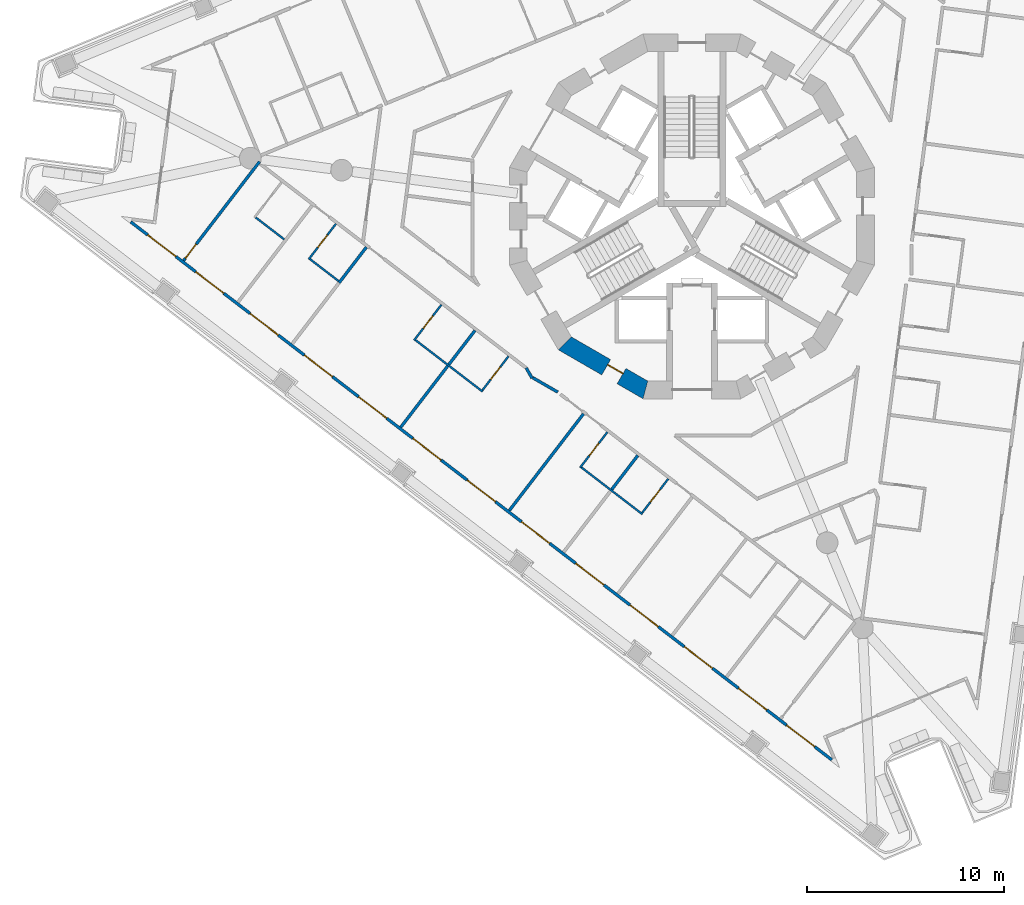
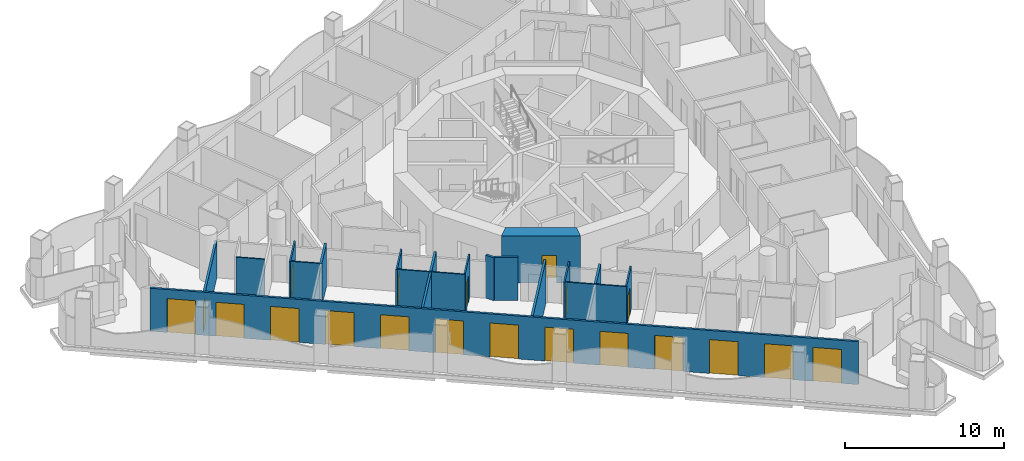
# One storey, part 2 of 17: 20 doors, 19 walls, 20 openings.
"""IFC4 building model written with IfcOpenShell, lengths in metres."""

from ifc_helpers import new_model, si_unit, direction, frame, frame_2d, origin, place, context, subcontext, project, spatial, polyline, rectangle, outline, extrude, material, layer, layer_set, type_object, element, fill, save


model = new_model("IFC4")

# Units and contexts
model_context = context("Model", 3, precision=1e-05, world=origin(), true_north=direction((0.0, 1.0)))
body_context = subcontext(model_context, "Body", "Model", "MODEL_VIEW")
ifc_project = project(units=[si_unit("LENGTHUNIT", "METRE"), si_unit("AREAUNIT", "SQUARE_METRE"), si_unit("VOLUMEUNIT", "CUBIC_METRE"), si_unit("PLANEANGLEUNIT", "RADIAN"), si_unit("MASSUNIT", "GRAM", prefix="KILO")], contexts=[model_context])

# Site, building, storey
site_placement = place(None, origin())
site = spatial("IfcSite", under=ifc_project, at=site_placement, CompositionType="ELEMENT")
building_placement = place(site_placement, origin())
building = spatial("IfcBuilding", under=site, at=building_placement, Name="Trine Commons Tower", CompositionType="ELEMENT")
storey_placement = place(building_placement, frame((0.0, 0.0, 127.800048828125)))
storey = spatial("IfcBuildingStorey", under=building, at=storey_placement, Name="L32", CompositionType="ELEMENT", Elevation=127.800048828125)

# Wall, openings, doors
ifc_material_1 = material(Name="Aluminium-framed insulated wall panel", Category="aluminium")
ifc_layer_1 = layer(ifc_material_1, 0.14990234375)
ifc_layer_set_1 = layer_set([ifc_layer_1], Name="Aluminium-framed insulated wall panel")
wall_type_1 = type_object("IfcWallType", Name="Glazed frame wall 150, EI 60", PredefinedType="SOLIDWALL", material=ifc_layer_set_1)
wall_1_placement = place(storey_placement, frame((87.22509765625, 34.786376953125, 0.0), z_axis=(0.0, 0.0, 1.0), x_axis=(-0.793353605974, 0.608761082764, 0.0)))
wall_1 = element("IfcWall", 1, at=wall_1_placement, inside=storey, type_object=wall_type_1, Name="Glazed frame wall F3", PredefinedType="SOLIDWALL", context=body_context, shape_type="SweptSolid", body=[
    extrude(outline(polyline([(0.1494140625, 0.074951171875), (0.1494140625, -0.074951171875), (45.056884765625, -0.074951171875), (45.056884765625, 0.074951171875), (0.1494140625, 0.074951171875)])), origin(), (0.0, 0.0, 1.0), 3.300048828125),
])
opening_1_placement = place(wall_1_placement, frame((1.23876953125, 0.0, 0.0)))
opening_1 = element("IfcOpeningElement", 2, at=opening_1_placement, cuts=wall_1, Name="Opening BD-4F3-01", PredefinedType="OPENING", context=body_context, shape_type="SweptSolid", body=[
    extrude(rectangle(XDim=1.800048828125, YDim=2.60009765625, at=frame_2d((0.89990234375, 1.300048828125))), frame((0.0, 0.0849609375, 0.0), z_axis=(0.0, -1.0, 0.0), x_axis=(1.0, 0.0, 0.0)), (0.0, 0.0, 1.0), 0.169921875),
])
opening_2_placement = place(wall_1_placement, frame((4.316162109375, 0.0, 0.0)))
opening_2 = element("IfcOpeningElement", 3, at=opening_2_placement, cuts=wall_1, Name="Opening BD-4F3-02", PredefinedType="OPENING", context=body_context, shape_type="SweptSolid", body=[
    extrude(rectangle(XDim=1.800048828125, YDim=2.60009765625, at=frame_2d((0.89990234375, 1.300048828125))), frame((0.0, 0.0849609375, 0.0), z_axis=(0.0, -1.0, 0.0), x_axis=(1.0, 0.0, 0.0)), (0.0, 0.0, 1.0), 0.169921875),
])
opening_3_placement = place(wall_1_placement, frame((7.79345703125, 0.0, 0.0)))
opening_3 = element("IfcOpeningElement", 4, at=opening_3_placement, cuts=wall_1, Name="Opening BD-4F3-03", PredefinedType="OPENING", context=body_context, shape_type="SweptSolid", body=[
    extrude(rectangle(XDim=1.800048828125, YDim=2.60009765625, at=frame_2d((0.89990234375, 1.300048828125))), frame((0.0, 0.0849609375, 0.0), z_axis=(0.0, -1.0, 0.0), x_axis=(1.0, 0.0, 0.0)), (0.0, 0.0, 1.0), 0.169921875),
])
opening_4_placement = place(wall_1_placement, frame((11.27099609375, 0.0, 0.0)))
opening_4 = element("IfcOpeningElement", 5, at=opening_4_placement, cuts=wall_1, Name="Opening BD-4F3-04", PredefinedType="OPENING", context=body_context, shape_type="SweptSolid", body=[
    extrude(rectangle(XDim=1.800048828125, YDim=2.60009765625, at=frame_2d((0.89990234375, 1.300048828125))), frame((0.0, 0.0849609375, 0.0), z_axis=(0.0, -1.0, 0.0), x_axis=(1.0, 0.0, 0.0)), (0.0, 0.0, 1.0), 0.169921875),
])
opening_5_placement = place(wall_1_placement, frame((14.748291015625, 0.0, 0.0)))
opening_5 = element("IfcOpeningElement", 6, at=opening_5_placement, cuts=wall_1, Name="Opening BD-4F3-05", PredefinedType="OPENING", context=body_context, shape_type="SweptSolid", body=[
    extrude(rectangle(XDim=1.800048828125, YDim=2.60009765625, at=frame_2d((0.89990234375, 1.300048828125))), frame((0.0, 0.0849609375, 0.0), z_axis=(0.0, -1.0, 0.0), x_axis=(1.0, 0.0, 0.0)), (0.0, 0.0, 1.0), 0.169921875),
])
opening_6_placement = place(wall_1_placement, frame((18.2255859375, 0.0, 0.0)))
opening_6 = element("IfcOpeningElement", 7, at=opening_6_placement, cuts=wall_1, Name="Opening BD-4F3-06", PredefinedType="OPENING", context=body_context, shape_type="SweptSolid", body=[
    extrude(rectangle(XDim=1.800048828125, YDim=2.60009765625, at=frame_2d((0.89990234375, 1.300048828125))), frame((0.0, 0.0849609375, 0.0), z_axis=(0.0, -1.0, 0.0), x_axis=(1.0, 0.0, 0.0)), (0.0, 0.0, 1.0), 0.169921875),
])
opening_7_placement = place(wall_1_placement, frame((21.703125, 0.0, 0.0)))
opening_7 = element("IfcOpeningElement", 8, at=opening_7_placement, cuts=wall_1, Name="Opening BD-4F3-07", PredefinedType="OPENING", context=body_context, shape_type="SweptSolid", body=[
    extrude(rectangle(XDim=1.800048828125, YDim=2.60009765625, at=frame_2d((0.89990234375, 1.300048828125))), frame((0.0, 0.0849609375, 0.0), z_axis=(0.0, -1.0, 0.0), x_axis=(1.0, 0.0, 0.0)), (0.0, 0.0, 1.0), 0.169921875),
])
opening_8_placement = place(wall_1_placement, frame((25.180419921875, 0.0, 0.0)))
opening_8 = element("IfcOpeningElement", 9, at=opening_8_placement, cuts=wall_1, Name="Opening BD-4F3-08", PredefinedType="OPENING", context=body_context, shape_type="SweptSolid", body=[
    extrude(rectangle(XDim=1.800048828125, YDim=2.60009765625, at=frame_2d((0.89990234375, 1.300048828125))), frame((0.0, 0.0849609375, 0.0), z_axis=(0.0, -1.0, 0.0), x_axis=(1.0, 0.0, 0.0)), (0.0, 0.0, 1.0), 0.169921875),
])
opening_9_placement = place(wall_1_placement, frame((28.657958984375, 0.0, 0.0)))
opening_9 = element("IfcOpeningElement", 10, at=opening_9_placement, cuts=wall_1, Name="Opening BD-4F3-09", PredefinedType="OPENING", context=body_context, shape_type="SweptSolid", body=[
    extrude(rectangle(XDim=1.800048828125, YDim=2.60009765625, at=frame_2d((0.89990234375, 1.300048828125))), frame((0.0, 0.0849609375, 0.0), z_axis=(0.0, -1.0, 0.0), x_axis=(1.0, 0.0, 0.0)), (0.0, 0.0, 1.0), 0.169921875),
])
opening_10_placement = place(wall_1_placement, frame((32.13525390625, 0.0, 0.0)))
opening_10 = element("IfcOpeningElement", 11, at=opening_10_placement, cuts=wall_1, Name="Opening BD-4F3-10", PredefinedType="OPENING", context=body_context, shape_type="SweptSolid", body=[
    extrude(rectangle(XDim=1.800048828125, YDim=2.60009765625, at=frame_2d((0.89990234375, 1.300048828125))), frame((0.0, 0.0849609375, 0.0), z_axis=(0.0, -1.0, 0.0), x_axis=(1.0, 0.0, 0.0)), (0.0, 0.0, 1.0), 0.169921875),
])
opening_11_placement = place(wall_1_placement, frame((35.61279296875, 0.0, 0.0)))
opening_11 = element("IfcOpeningElement", 12, at=opening_11_placement, cuts=wall_1, Name="Opening BD-4F3-11", PredefinedType="OPENING", context=body_context, shape_type="SweptSolid", body=[
    extrude(rectangle(XDim=1.800048828125, YDim=2.60009765625, at=frame_2d((0.89990234375, 1.300048828125))), frame((0.0, 0.0849609375, 0.0), z_axis=(0.0, -1.0, 0.0), x_axis=(1.0, 0.0, 0.0)), (0.0, 0.0, 1.0), 0.169921875),
])
opening_12_placement = place(wall_1_placement, frame((39.090087890625, 0.0, 0.0)))
opening_12 = element("IfcOpeningElement", 13, at=opening_12_placement, cuts=wall_1, Name="Opening BD-4F3-12", PredefinedType="OPENING", context=body_context, shape_type="SweptSolid", body=[
    extrude(rectangle(XDim=1.800048828125, YDim=2.60009765625, at=frame_2d((0.89990234375, 1.300048828125))), frame((0.0, 0.0849609375, 0.0), z_axis=(0.0, -1.0, 0.0), x_axis=(1.0, 0.0, 0.0)), (0.0, 0.0, 1.0), 0.169921875),
])
opening_13_placement = place(wall_1_placement, frame((42.16748046875, 0.0, 0.0)))
opening_13 = element("IfcOpeningElement", 14, at=opening_13_placement, cuts=wall_1, Name="Opening BD-4F3-13", PredefinedType="OPENING", context=body_context, shape_type="SweptSolid", body=[
    extrude(rectangle(XDim=1.800048828125, YDim=2.60009765625, at=frame_2d((0.89990234375, 1.300048828125))), frame((0.0, 0.0849609375, 0.0), z_axis=(0.0, -1.0, 0.0), x_axis=(1.0, 0.0, 0.0)), (0.0, 0.0, 1.0), 0.169921875),
])
ifc_material_2 = material(Name="Anodised aluminium frame with double glazing", Category="aluminium")
door_type_1 = type_object("IfcDoorType", Name="Sliding loggia door 1800x2600", OperationType="SLIDING_TO_LEFT", PredefinedType="DOOR", material=ifc_material_2)
door_1_placement = place(opening_1_placement, origin())
door_1 = element("IfcDoor", 15, at=door_1_placement, inside=storey, type_object=door_type_1, Name="Loggia door F3 1", OperationType="SLIDING_TO_LEFT", OverallHeight=2.60009765625, OverallWidth=1.800048828125, PredefinedType="DOOR", context=body_context, shape_type="SweptSolid", body=[
    extrude(rectangle(XDim=1.800048828125, YDim=2.60009765625, at=frame_2d((0.89990234375, 1.300048828125))), frame((0.0, 0.02490234375, 0.0), z_axis=(0.0, -1.0, 0.0), x_axis=(1.0, 0.0, 0.0)), (0.0, 0.0, 1.0), 0.050048828125),
])
fill(opening_1, door_1)
door_2_placement = place(opening_2_placement, origin())
door_2 = element("IfcDoor", 16, at=door_2_placement, inside=storey, type_object=door_type_1, Name="Loggia door F3 2", OperationType="SLIDING_TO_LEFT", OverallHeight=2.60009765625, OverallWidth=1.800048828125, PredefinedType="DOOR", context=body_context, shape_type="SweptSolid", body=[
    extrude(rectangle(XDim=1.800048828125, YDim=2.60009765625, at=frame_2d((0.89990234375, 1.300048828125))), frame((0.0, 0.02490234375, 0.0), z_axis=(0.0, -1.0, 0.0), x_axis=(1.0, 0.0, 0.0)), (0.0, 0.0, 1.0), 0.050048828125),
])
fill(opening_2, door_2)
door_3_placement = place(opening_3_placement, origin())
door_3 = element("IfcDoor", 17, at=door_3_placement, inside=storey, type_object=door_type_1, Name="Loggia door F3 3", OperationType="SLIDING_TO_LEFT", OverallHeight=2.60009765625, OverallWidth=1.800048828125, PredefinedType="DOOR", context=body_context, shape_type="SweptSolid", body=[
    extrude(rectangle(XDim=1.800048828125, YDim=2.60009765625, at=frame_2d((0.89990234375, 1.300048828125))), frame((0.0, 0.02490234375, 0.0), z_axis=(0.0, -1.0, 0.0), x_axis=(1.0, 0.0, 0.0)), (0.0, 0.0, 1.0), 0.050048828125),
])
fill(opening_3, door_3)
door_4_placement = place(opening_4_placement, origin())
door_4 = element("IfcDoor", 18, at=door_4_placement, inside=storey, type_object=door_type_1, Name="Loggia door F3 4", OperationType="SLIDING_TO_LEFT", OverallHeight=2.60009765625, OverallWidth=1.800048828125, PredefinedType="DOOR", context=body_context, shape_type="SweptSolid", body=[
    extrude(rectangle(XDim=1.800048828125, YDim=2.60009765625, at=frame_2d((0.89990234375, 1.300048828125))), frame((0.0, 0.02490234375, 0.0), z_axis=(0.0, -1.0, 0.0), x_axis=(1.0, 0.0, 0.0)), (0.0, 0.0, 1.0), 0.050048828125),
])
fill(opening_4, door_4)
door_5_placement = place(opening_5_placement, origin())
door_5 = element("IfcDoor", 19, at=door_5_placement, inside=storey, type_object=door_type_1, Name="Loggia door F3 5", OperationType="SLIDING_TO_LEFT", OverallHeight=2.60009765625, OverallWidth=1.800048828125, PredefinedType="DOOR", context=body_context, shape_type="SweptSolid", body=[
    extrude(rectangle(XDim=1.800048828125, YDim=2.60009765625, at=frame_2d((0.89990234375, 1.300048828125))), frame((0.0, 0.02490234375, 0.0), z_axis=(0.0, -1.0, 0.0), x_axis=(1.0, 0.0, 0.0)), (0.0, 0.0, 1.0), 0.050048828125),
])
fill(opening_5, door_5)
door_6_placement = place(opening_6_placement, origin())
door_6 = element("IfcDoor", 20, at=door_6_placement, inside=storey, type_object=door_type_1, Name="Loggia door F3 6", OperationType="SLIDING_TO_LEFT", OverallHeight=2.60009765625, OverallWidth=1.800048828125, PredefinedType="DOOR", context=body_context, shape_type="SweptSolid", body=[
    extrude(rectangle(XDim=1.800048828125, YDim=2.60009765625, at=frame_2d((0.89990234375, 1.300048828125))), frame((0.0, 0.02490234375, 0.0), z_axis=(0.0, -1.0, 0.0), x_axis=(1.0, 0.0, 0.0)), (0.0, 0.0, 1.0), 0.050048828125),
])
fill(opening_6, door_6)
door_7_placement = place(opening_7_placement, origin())
door_7 = element("IfcDoor", 21, at=door_7_placement, inside=storey, type_object=door_type_1, Name="Loggia door F3 7", OperationType="SLIDING_TO_LEFT", OverallHeight=2.60009765625, OverallWidth=1.800048828125, PredefinedType="DOOR", context=body_context, shape_type="SweptSolid", body=[
    extrude(rectangle(XDim=1.800048828125, YDim=2.60009765625, at=frame_2d((0.89990234375, 1.300048828125))), frame((0.0, 0.02490234375, 0.0), z_axis=(0.0, -1.0, 0.0), x_axis=(1.0, 0.0, 0.0)), (0.0, 0.0, 1.0), 0.050048828125),
])
fill(opening_7, door_7)
door_8_placement = place(opening_8_placement, origin())
door_8 = element("IfcDoor", 22, at=door_8_placement, inside=storey, type_object=door_type_1, Name="Loggia door F3 8", OperationType="SLIDING_TO_LEFT", OverallHeight=2.60009765625, OverallWidth=1.800048828125, PredefinedType="DOOR", context=body_context, shape_type="SweptSolid", body=[
    extrude(rectangle(XDim=1.800048828125, YDim=2.60009765625, at=frame_2d((0.89990234375, 1.300048828125))), frame((0.0, 0.02490234375, 0.0), z_axis=(0.0, -1.0, 0.0), x_axis=(1.0, 0.0, 0.0)), (0.0, 0.0, 1.0), 0.050048828125),
])
fill(opening_8, door_8)
door_9_placement = place(opening_9_placement, origin())
door_9 = element("IfcDoor", 23, at=door_9_placement, inside=storey, type_object=door_type_1, Name="Loggia door F3 9", OperationType="SLIDING_TO_LEFT", OverallHeight=2.60009765625, OverallWidth=1.800048828125, PredefinedType="DOOR", context=body_context, shape_type="SweptSolid", body=[
    extrude(rectangle(XDim=1.800048828125, YDim=2.60009765625, at=frame_2d((0.89990234375, 1.300048828125))), frame((0.0, 0.02490234375, 0.0), z_axis=(0.0, -1.0, 0.0), x_axis=(1.0, 0.0, 0.0)), (0.0, 0.0, 1.0), 0.050048828125),
])
fill(opening_9, door_9)
door_10_placement = place(opening_10_placement, origin())
door_10 = element("IfcDoor", 24, at=door_10_placement, inside=storey, type_object=door_type_1, Name="Loggia door F3 10", OperationType="SLIDING_TO_LEFT", OverallHeight=2.60009765625, OverallWidth=1.800048828125, PredefinedType="DOOR", context=body_context, shape_type="SweptSolid", body=[
    extrude(rectangle(XDim=1.800048828125, YDim=2.60009765625, at=frame_2d((0.89990234375, 1.300048828125))), frame((0.0, 0.02490234375, 0.0), z_axis=(0.0, -1.0, 0.0), x_axis=(1.0, 0.0, 0.0)), (0.0, 0.0, 1.0), 0.050048828125),
])
fill(opening_10, door_10)
door_11_placement = place(opening_11_placement, origin())
door_11 = element("IfcDoor", 25, at=door_11_placement, inside=storey, type_object=door_type_1, Name="Loggia door F3 11", OperationType="SLIDING_TO_LEFT", OverallHeight=2.60009765625, OverallWidth=1.800048828125, PredefinedType="DOOR", context=body_context, shape_type="SweptSolid", body=[
    extrude(rectangle(XDim=1.800048828125, YDim=2.60009765625, at=frame_2d((0.89990234375, 1.300048828125))), frame((0.0, 0.02490234375, 0.0), z_axis=(0.0, -1.0, 0.0), x_axis=(1.0, 0.0, 0.0)), (0.0, 0.0, 1.0), 0.050048828125),
])
fill(opening_11, door_11)
door_12_placement = place(opening_12_placement, origin())
door_12 = element("IfcDoor", 26, at=door_12_placement, inside=storey, type_object=door_type_1, Name="Loggia door F3 12", OperationType="SLIDING_TO_LEFT", OverallHeight=2.60009765625, OverallWidth=1.800048828125, PredefinedType="DOOR", context=body_context, shape_type="SweptSolid", body=[
    extrude(rectangle(XDim=1.800048828125, YDim=2.60009765625, at=frame_2d((0.89990234375, 1.300048828125))), frame((0.0, 0.02490234375, 0.0), z_axis=(0.0, -1.0, 0.0), x_axis=(1.0, 0.0, 0.0)), (0.0, 0.0, 1.0), 0.050048828125),
])
fill(opening_12, door_12)
door_13_placement = place(opening_13_placement, origin())
door_13 = element("IfcDoor", 27, at=door_13_placement, inside=storey, type_object=door_type_1, Name="Loggia door F3 13", OperationType="SLIDING_TO_LEFT", OverallHeight=2.60009765625, OverallWidth=1.800048828125, PredefinedType="DOOR", context=body_context, shape_type="SweptSolid", body=[
    extrude(rectangle(XDim=1.800048828125, YDim=2.60009765625, at=frame_2d((0.89990234375, 1.300048828125))), frame((0.0, 0.02490234375, 0.0), z_axis=(0.0, -1.0, 0.0), x_axis=(1.0, 0.0, 0.0)), (0.0, 0.0, 1.0), 0.050048828125),
])
fill(opening_13, door_13)

# Wall, opening, door
ifc_material_3 = material(Name="Concrete C70/85", Category="concrete")
ifc_layer_2 = layer(ifc_material_3, 0.89990234375)
ifc_layer_set_2 = layer_set([ifc_layer_2], Name="Concrete C70/85")
wall_type_2 = type_object("IfcWallType", Name="RC shear wall 900 mm, C70/85", PredefinedType="SHEAR", material=ifc_layer_set_2)
wall_2_placement = place(storey_placement, frame((73.436767578125, 56.1015625, 0.0), z_axis=(0.0, 0.0, 1.0), x_axis=(0.866003133579, -0.500038571144, 0.0)))
wall_2 = element("IfcWall", 28, at=wall_2_placement, inside=storey, type_object=wall_type_2, Name="Core wall CWD-09 L32", PredefinedType="SHEAR", context=body_context, shape_type="SweptSolid", body=[
    extrude(outline(polyline([(0.0, -0.449951171875), (4.96923828125, -0.449951171875), (4.72802734375, 0.449951171875), (0.2412109375, 0.449951171875), (0.0, -0.449951171875)])), origin(), (0.0, 0.0, 1.0), 3.599853515625),
])
opening_14_placement = place(wall_2_placement, frame((2.5458984375, 0.0, 0.0)))
opening_14 = element("IfcOpeningElement", 29, at=opening_14_placement, cuts=wall_2, Name="Opening K11.16", PredefinedType="OPENING", context=body_context, shape_type="SweptSolid", body=[
    extrude(rectangle(XDim=0.89990234375, YDim=2.10009765625, at=frame_2d((0.449951171875, 1.050048828125))), frame((0.0, 0.4599609375, 0.0), z_axis=(0.0, -1.0, 0.0), x_axis=(1.0, 0.0, 0.0)), (0.0, 0.0, 1.0), 0.919921875),
])
ifc_material_4 = material(Name="Steel door leaf, fire-rated", Category="steel")
door_type_2 = type_object("IfcDoorType", Name="Core room door, single leaf 900 x 2100, FD30S", OperationType="SINGLE_SWING_LEFT", PredefinedType="DOOR", material=ifc_material_4)
door_14_placement = place(opening_14_placement, origin())
door_14 = element("IfcDoor", 30, at=door_14_placement, inside=storey, type_object=door_type_2, Name="Door to Pantry L32", OperationType="SINGLE_SWING_RIGHT", OverallHeight=2.10009765625, OverallWidth=0.89990234375, PredefinedType="DOOR", context=body_context, shape_type="SweptSolid", body=[
    extrude(rectangle(XDim=0.89990234375, YDim=2.10009765625, at=frame_2d((0.449951171875, 1.050048828125))), frame((0.0, 0.1748046875, 0.0), z_axis=(0.0, -1.0, 0.0), x_axis=(1.0, 0.0, 0.0)), (0.0, 0.0, 1.0), 0.050048828125),
])
fill(opening_14, door_14)

ifc_material_5 = material(Name="Gypsum plasterboard on steel stud", Category="steel")
ifc_layer_3 = layer(ifc_material_5, 0.14990234375)
ifc_layer_set_3 = layer_set([ifc_layer_3], Name="Gypsum plasterboard on steel stud")
wall_type_3 = type_object("IfcWallType", Name="Unit and corridor wall 150 mm, EI 60", PredefinedType="PARTITIONING", material=ifc_layer_set_3)
wall_3_placement = place(storey_placement, frame((54.165283203125, 60.248779296875, 0.0), z_axis=(0.0, 0.0, 1.0), x_axis=(0.608817658648, 0.793310190605, 0.0)))
wall_3 = element("IfcWall", 31, at=wall_3_placement, inside=storey, type_object=wall_type_3, Name="Partition 001", PredefinedType="PARTITIONING", context=body_context, shape_type="SweptSolid", body=[
    extrude(rectangle(XDim=6.343994140625, YDim=0.14990234375, at=frame_2d((3.171875, 0.0))), origin(), (0.0, 0.0, 1.0), 2.800048828125),
])
opening_15_placement = place(wall_3_placement, frame((0.14990234375, 0.0, 0.0)))
opening_15 = element("IfcOpeningElement", 32, at=opening_15_placement, cuts=wall_3, Name="Opening D-4A31", PredefinedType="OPENING", context=body_context, shape_type="SweptSolid", body=[
    extrude(rectangle(XDim=0.89990234375, YDim=2.10009765625, at=frame_2d((0.449951171875, 1.050048828125))), frame((0.0, 0.0849609375, 0.0), z_axis=(0.0, -1.0, 0.0), x_axis=(1.0, 0.0, 0.0)), (0.0, 0.0, 1.0), 0.169921875),
])
ifc_material_6 = material(Name="Timber fire door set", Category="wood")
door_type_3 = type_object("IfcDoorType", Name="Bedroom door 900 x 2100, FD30S", OperationType="NOTDEFINED", PredefinedType="DOOR", material=ifc_material_6)
door_15_placement = place(opening_15_placement, frame((0.89990234375, 0.0, 0.0), z_axis=(0.0, 0.0, 1.0), x_axis=(-1.0, 0.0, 0.0)))
door_15 = element("IfcDoor", 33, at=door_15_placement, inside=storey, type_object=door_type_3, Name="Door D-4A31", OperationType="SINGLE_SWING_RIGHT", OverallHeight=2.10009765625, OverallWidth=0.89990234375, PredefinedType="DOOR", context=body_context, shape_type="SweptSolid", body=[
    extrude(rectangle(XDim=0.89990234375, YDim=2.10009765625, at=frame_2d((0.449951171875, 1.050048828125))), frame((0.0, 0.02490234375, 0.0), z_axis=(0.0, -1.0, 0.0), x_axis=(1.0, 0.0, 0.0)), (0.0, 0.0, 1.0), 0.050048828125),
])
fill(opening_15, door_15)

# Walls
wall_4_placement = place(storey_placement, frame((62.066650390625, 59.121337890625, 0.0), z_axis=(0.0, 0.0, 1.0), x_axis=(0.608570992326, 0.793499431191, 0.0)))
element("IfcWall", 34, at=wall_4_placement, inside=storey, type_object=wall_type_3, Name="Partition 018", PredefinedType="PARTITIONING", context=body_context, shape_type="SweptSolid", body=[
    extrude(rectangle(XDim=2.278564453125, YDim=0.14990234375, at=frame_2d((1.13916015625, 0.0))), origin(), (0.0, 0.0, 1.0), 3.300048828125),
])
wall_5_placement = place(storey_placement, frame((65.200439453125, 51.78076171875, 0.0), z_axis=(0.0, 0.0, 1.0), x_axis=(0.608783231907, 0.793336609863, 0.0)))
element("IfcWall", 35, at=wall_5_placement, inside=storey, type_object=wall_type_3, Name="Partition 025", PredefinedType="PARTITIONING", context=body_context, shape_type="SweptSolid", body=[
    extrude(rectangle(XDim=3.919677734375, YDim=0.14990234375, at=frame_2d((1.9599609375, 0.0))), origin(), (0.0, 0.0, 1.0), 3.300048828125),
])
wall_6_placement = place(storey_placement, frame((67.6474609375, 54.9697265625, 0.0), z_axis=(0.0, 0.0, 1.0), x_axis=(0.608674216197, 0.79342025342, 0.0)))
element("IfcWall", 36, at=wall_6_placement, inside=storey, type_object=wall_type_3, Name="Partition 036", PredefinedType="PARTITIONING", context=body_context, shape_type="SweptSolid", body=[
    extrude(rectangle(XDim=2.17529296875, YDim=0.14990234375, at=frame_2d((1.087646484375, 0.0))), origin(), (0.0, 0.0, 1.0), 3.300048828125),
])
wall_7_placement = place(storey_placement, frame((70.71826171875, 47.547607421875, 0.0), z_axis=(0.0, 0.0, 1.0), x_axis=(0.608712047114, 0.79339122991, 0.0)))
element("IfcWall", 37, at=wall_7_placement, inside=storey, type_object=wall_type_3, Name="Partition 042", PredefinedType="PARTITIONING", context=body_context, shape_type="SweptSolid", body=[
    extrude(rectangle(XDim=6.193359375, YDim=0.14990234375, at=frame_2d((3.0966796875, 0.0))), origin(), (0.0, 0.0, 1.0), 3.300048828125),
])
wall_8_placement = place(storey_placement, frame((71.575927734375, 54.794921875, 0.0), z_axis=(0.0, 0.0, 1.0), x_axis=(0.499675599625, -0.866212615435, 0.0)))
element("IfcWall", 38, at=wall_8_placement, inside=storey, type_object=wall_type_3, Name="Partition 045", PredefinedType="PARTITIONING", context=body_context, shape_type="SweptSolid", body=[
    extrude(rectangle(XDim=0.6015625, YDim=0.14990234375, at=frame_2d((0.30078125, 0.0))), origin(), (0.0, 0.0, 1.0), 3.300048828125),
])
wall_9_placement = place(storey_placement, frame((71.904052734375, 54.301513671875, 0.0), z_axis=(0.0, 0.0, 1.0), x_axis=(0.866086395302, -0.499894344709, 0.0)))
element("IfcWall", 39, at=wall_9_placement, inside=storey, type_object=wall_type_3, Name="Partition 047", PredefinedType="PARTITIONING", context=body_context, shape_type="SweptSolid", body=[
    extrude(rectangle(XDim=1.475341796875, YDim=0.14990234375, at=frame_2d((0.73779296875, 0.0))), origin(), (0.0, 0.0, 1.0), 3.300048828125),
])
wall_10_placement = place(storey_placement, frame((75.92333984375, 48.61865234375, 0.0), z_axis=(0.0, 0.0, 1.0), x_axis=(0.608674216197, 0.79342025342, 0.0)))
element("IfcWall", 40, at=wall_10_placement, inside=storey, type_object=wall_type_3, Name="Partition 056", PredefinedType="PARTITIONING", context=body_context, shape_type="SweptSolid", body=[
    extrude(rectangle(XDim=2.17529296875, YDim=0.14990234375, at=frame_2d((1.087646484375, 0.0))), origin(), (0.0, 0.0, 1.0), 3.300048828125),
])
ifc_layer_4 = layer(ifc_material_5, 0.10009765625)
ifc_layer_set_4 = layer_set([ifc_layer_4], Name="Gypsum plasterboard on steel stud")
wall_type_4 = type_object("IfcWallType", Name="Unit partition 100 mm, no rating", PredefinedType="PARTITIONING", material=ifc_layer_set_4)
wall_11_placement = place(storey_placement, frame((57.832763671875, 62.4375, 0.0), z_axis=(0.0, 0.0, 1.0), x_axis=(0.793369431695, -0.608740457709, 0.0)))
element("IfcWall", 41, at=wall_11_placement, inside=storey, type_object=wall_type_4, Name="Partition 005", PredefinedType="PARTITIONING", context=body_context, shape_type="SweptSolid", body=[
    extrude(rectangle(XDim=1.82470703125, YDim=0.10009765625, at=frame_2d((0.912353515625, 0.0))), origin(), (0.0, 0.0, 1.0), 3.300048828125),
])

# Wall, opening, door
wall_12_placement = place(storey_placement, frame((60.521484375, 60.311279296875, 0.0), z_axis=(0.0, 0.0, 1.0), x_axis=(0.608719842686, 0.793385248867, 0.0)))
wall_12 = element("IfcWall", 42, at=wall_12_placement, inside=storey, type_object=wall_type_4, Name="Partition 014", PredefinedType="PARTITIONING", context=body_context, shape_type="SweptSolid", body=[
    extrude(rectangle(XDim=2.275390625, YDim=0.10009765625, at=frame_2d((1.1376953125, 0.0))), origin(), (0.0, 0.0, 1.0), 3.300048828125),
])
opening_16_placement = place(wall_12_placement, frame((0.762451171875, 0.0, 0.0)))
opening_16 = element("IfcOpeningElement", 43, at=opening_16_placement, cuts=wall_12, Name="Opening D-4A57", PredefinedType="OPENING", context=body_context, shape_type="SweptSolid", body=[
    extrude(rectangle(XDim=0.800048828125, YDim=2.10009765625, at=frame_2d((0.39990234375, 1.050048828125))), frame((0.0, 0.06005859375, 0.0), z_axis=(0.0, -1.0, 0.0), x_axis=(1.0, 0.0, 0.0)), (0.0, 0.0, 1.0), 0.1201171875),
])
ifc_material_7 = material(Name="Painted timber", Category="wood")
door_type_4 = type_object("IfcDoorType", Name="Internal door 800 x 2100, NOT RATED", OperationType="NOTDEFINED", PredefinedType="DOOR", material=ifc_material_7)
door_16_placement = place(opening_16_placement, origin())
door_16 = element("IfcDoor", 44, at=door_16_placement, inside=storey, type_object=door_type_4, Name="Door D-4A57", OperationType="SINGLE_SWING_RIGHT", OverallHeight=2.10009765625, OverallWidth=0.800048828125, PredefinedType="DOOR", context=body_context, shape_type="SweptSolid", body=[
    extrude(rectangle(XDim=0.800048828125, YDim=2.10009765625, at=frame_2d((0.39990234375, 1.050048828125))), frame((0.0, 0.02490234375, 0.0), z_axis=(0.0, -1.0, 0.0), x_axis=(1.0, 0.0, 0.0)), (0.0, 0.0, 1.0), 0.050048828125),
])
fill(opening_16, door_16)

# Wall
wall_13_placement = place(storey_placement, frame((60.591796875, 60.320556640625, 0.0), z_axis=(0.0, 0.0, 1.0), x_axis=(0.793369431695, -0.608740457709, 0.0)))
element("IfcWall", 45, at=wall_13_placement, inside=storey, type_object=wall_type_4, Name="Partition 015", PredefinedType="PARTITIONING", context=body_context, shape_type="SweptSolid", body=[
    extrude(rectangle(XDim=1.82470703125, YDim=0.10009765625, at=frame_2d((0.912353515625, 0.0))), origin(), (0.0, 0.0, 1.0), 3.300048828125),
])

# Wall, opening, door
wall_14_placement = place(storey_placement, frame((65.880615234375, 56.19921875, 0.0), z_axis=(0.0, 0.0, 1.0), x_axis=(0.608652294224, 0.793437070432, 0.0)))
wall_14 = element("IfcWall", 46, at=wall_14_placement, inside=storey, type_object=wall_type_4, Name="Partition 033", PredefinedType="PARTITIONING", context=body_context, shape_type="SweptSolid", body=[
    extrude(rectangle(XDim=2.275146484375, YDim=0.10009765625, at=frame_2d((1.1376953125, 0.0))), origin(), (0.0, 0.0, 1.0), 3.300048828125),
])
opening_17_placement = place(wall_14_placement, frame((0.762451171875, 0.0, 0.0)))
opening_17 = element("IfcOpeningElement", 47, at=opening_17_placement, cuts=wall_14, Name="Opening D-4A56", PredefinedType="OPENING", context=body_context, shape_type="SweptSolid", body=[
    extrude(rectangle(XDim=0.800048828125, YDim=2.10009765625, at=frame_2d((0.39990234375, 1.050048828125))), frame((0.0, 0.06005859375, 0.0), z_axis=(0.0, -1.0, 0.0), x_axis=(1.0, 0.0, 0.0)), (0.0, 0.0, 1.0), 0.1201171875),
])
door_17_placement = place(opening_17_placement, origin())
door_17 = element("IfcDoor", 48, at=door_17_placement, inside=storey, type_object=door_type_4, Name="Door D-4A56", OperationType="SINGLE_SWING_RIGHT", OverallHeight=2.10009765625, OverallWidth=0.800048828125, PredefinedType="DOOR", context=body_context, shape_type="SweptSolid", body=[
    extrude(rectangle(XDim=0.800048828125, YDim=2.10009765625, at=frame_2d((0.39990234375, 1.050048828125))), frame((0.0, 0.02490234375, 0.0), z_axis=(0.0, -1.0, 0.0), x_axis=(1.0, 0.0, 0.0)), (0.0, 0.0, 1.0), 0.050048828125),
])
fill(opening_17, door_17)

# Wall
wall_15_placement = place(storey_placement, frame((65.95068359375, 56.20849609375, 0.0), z_axis=(0.0, 0.0, 1.0), x_axis=(0.793301035436, -0.60882958796, 0.0)))
element("IfcWall", 49, at=wall_15_placement, inside=storey, type_object=wall_type_4, Name="Partition 034", PredefinedType="PARTITIONING", context=body_context, shape_type="SweptSolid", body=[
    extrude(rectangle(XDim=4.2998046875, YDim=0.10009765625, at=frame_2d((2.14990234375, 0.0))), origin(), (0.0, 0.0, 1.0), 3.300048828125),
])

# Wall, opening, door
wall_16_placement = place(storey_placement, frame((69.352294921875, 53.66064453125, 0.0), z_axis=(0.0, 0.0, 1.0), x_axis=(0.608744865415, 0.793366049709, 0.0)))
wall_16 = element("IfcWall", 50, at=wall_16_placement, inside=storey, type_object=wall_type_4, Name="Partition 041", PredefinedType="PARTITIONING", context=body_context, shape_type="SweptSolid", body=[
    extrude(rectangle(XDim=2.17529296875, YDim=0.10009765625, at=frame_2d((1.087646484375, 0.0))), origin(), (0.0, 0.0, 1.0), 3.300048828125),
])
opening_18_placement = place(wall_16_placement, frame((0.6875, 0.0, 0.0)))
opening_18 = element("IfcOpeningElement", 51, at=opening_18_placement, cuts=wall_16, Name="Opening D-4A55", PredefinedType="OPENING", context=body_context, shape_type="SweptSolid", body=[
    extrude(rectangle(XDim=0.800048828125, YDim=2.10009765625, at=frame_2d((0.39990234375, 1.050048828125))), frame((0.0, 0.06005859375, 0.0), z_axis=(0.0, -1.0, 0.0), x_axis=(1.0, 0.0, 0.0)), (0.0, 0.0, 1.0), 0.1201171875),
])
door_18_placement = place(opening_18_placement, frame((0.800048828125, 0.0, 0.0), z_axis=(0.0, 0.0, 1.0), x_axis=(-1.0, 0.0, 0.0)))
door_18 = element("IfcDoor", 52, at=door_18_placement, inside=storey, type_object=door_type_4, Name="Door D-4A55", OperationType="SINGLE_SWING_LEFT", OverallHeight=2.10009765625, OverallWidth=0.800048828125, PredefinedType="DOOR", context=body_context, shape_type="SweptSolid", body=[
    extrude(rectangle(XDim=0.800048828125, YDim=2.10009765625, at=frame_2d((0.39990234375, 1.050048828125))), frame((0.0, 0.02490234375, 0.0), z_axis=(0.0, -1.0, 0.0), x_axis=(1.0, 0.0, 0.0)), (0.0, 0.0, 1.0), 0.050048828125),
])
fill(opening_18, door_18)

wall_17_placement = place(storey_placement, frame((74.315673828125, 49.726318359375, 0.0), z_axis=(0.0, 0.0, 1.0), x_axis=(0.608652294224, 0.793437070432, 0.0)))
wall_17 = element("IfcWall", 53, at=wall_17_placement, inside=storey, type_object=wall_type_4, Name="Partition 052", PredefinedType="PARTITIONING", context=body_context, shape_type="SweptSolid", body=[
    extrude(rectangle(XDim=2.275146484375, YDim=0.10009765625, at=frame_2d((1.1376953125, 0.0))), origin(), (0.0, 0.0, 1.0), 3.300048828125),
])
opening_19_placement = place(wall_17_placement, frame((0.762451171875, 0.0, 0.0)))
opening_19 = element("IfcOpeningElement", 54, at=opening_19_placement, cuts=wall_17, Name="Opening D-4A54", PredefinedType="OPENING", context=body_context, shape_type="SweptSolid", body=[
    extrude(rectangle(XDim=0.800048828125, YDim=2.10009765625, at=frame_2d((0.39990234375, 1.050048828125))), frame((0.0, 0.06005859375, 0.0), z_axis=(0.0, -1.0, 0.0), x_axis=(1.0, 0.0, 0.0)), (0.0, 0.0, 1.0), 0.1201171875),
])
door_19_placement = place(opening_19_placement, origin())
door_19 = element("IfcDoor", 55, at=door_19_placement, inside=storey, type_object=door_type_4, Name="Door D-4A54", OperationType="SINGLE_SWING_RIGHT", OverallHeight=2.10009765625, OverallWidth=0.800048828125, PredefinedType="DOOR", context=body_context, shape_type="SweptSolid", body=[
    extrude(rectangle(XDim=0.800048828125, YDim=2.10009765625, at=frame_2d((0.39990234375, 1.050048828125))), frame((0.0, 0.02490234375, 0.0), z_axis=(0.0, -1.0, 0.0), x_axis=(1.0, 0.0, 0.0)), (0.0, 0.0, 1.0), 0.050048828125),
])
fill(opening_19, door_19)

# Wall
wall_18_placement = place(storey_placement, frame((74.3857421875, 49.735595703125, 0.0), z_axis=(0.0, 0.0, 1.0), x_axis=(0.793363466367, -0.608748232222, 0.0)))
element("IfcWall", 56, at=wall_18_placement, inside=storey, type_object=wall_type_4, Name="Partition 053", PredefinedType="PARTITIONING", context=body_context, shape_type="SweptSolid", body=[
    extrude(rectangle(XDim=3.89990234375, YDim=0.10009765625, at=frame_2d((1.949951171875, 0.0))), origin(), (0.0, 0.0, 1.0), 3.300048828125),
])

# Wall, opening, door
wall_19_placement = place(storey_placement, frame((77.470458984375, 47.431640625, 0.0), z_axis=(0.0, 0.0, 1.0), x_axis=(0.608674216197, 0.79342025342, 0.0)))
wall_19 = element("IfcWall", 57, at=wall_19_placement, inside=storey, type_object=wall_type_4, Name="Partition 058", PredefinedType="PARTITIONING", context=body_context, shape_type="SweptSolid", body=[
    extrude(rectangle(XDim=2.17529296875, YDim=0.10009765625, at=frame_2d((1.087646484375, 0.0))), origin(), (0.0, 0.0, 1.0), 3.300048828125),
])
opening_20_placement = place(wall_19_placement, frame((0.6875, 0.0, 0.0)))
opening_20 = element("IfcOpeningElement", 58, at=opening_20_placement, cuts=wall_19, Name="Opening D-4A53", PredefinedType="OPENING", context=body_context, shape_type="SweptSolid", body=[
    extrude(rectangle(XDim=0.800048828125, YDim=2.10009765625, at=frame_2d((0.39990234375, 1.050048828125))), frame((0.0, 0.06005859375, 0.0), z_axis=(0.0, -1.0, 0.0), x_axis=(1.0, 0.0, 0.0)), (0.0, 0.0, 1.0), 0.1201171875),
])
door_20_placement = place(opening_20_placement, frame((0.800048828125, 0.0, 0.0), z_axis=(0.0, 0.0, 1.0), x_axis=(-1.0, 0.0, 0.0)))
door_20 = element("IfcDoor", 59, at=door_20_placement, inside=storey, type_object=door_type_4, Name="Door D-4A53", OperationType="SINGLE_SWING_LEFT", OverallHeight=2.10009765625, OverallWidth=0.800048828125, PredefinedType="DOOR", context=body_context, shape_type="SweptSolid", body=[
    extrude(rectangle(XDim=0.800048828125, YDim=2.10009765625, at=frame_2d((0.39990234375, 1.050048828125))), frame((0.0, 0.02490234375, 0.0), z_axis=(0.0, -1.0, 0.0), x_axis=(1.0, 0.0, 0.0)), (0.0, 0.0, 1.0), 0.050048828125),
])
fill(opening_20, door_20)

save(model, "model.ifc")
